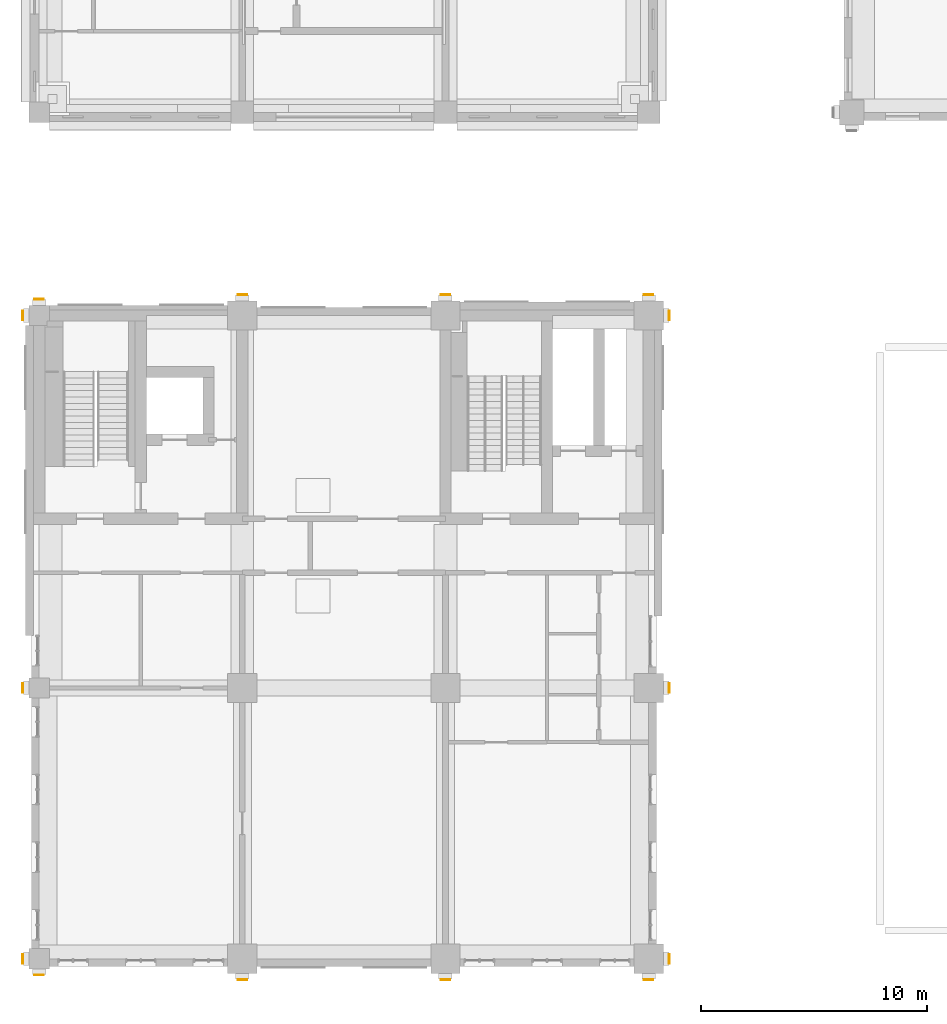
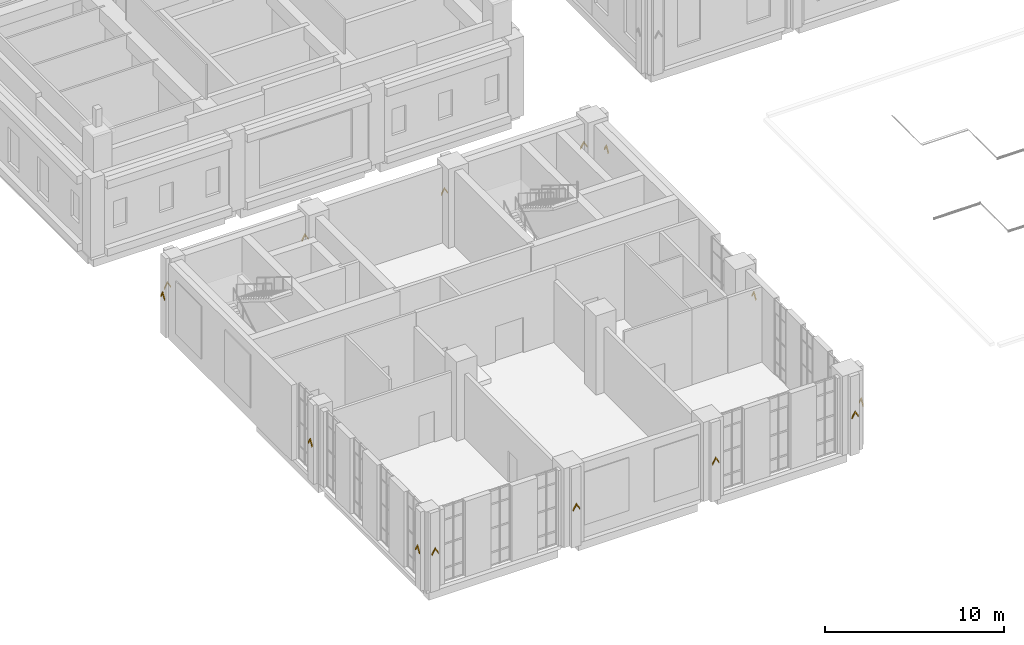
# One storey, part 36 of 37: 14 coverings.
"""IFC4 building model written with IfcOpenShell, lengths in metres."""

from ifc_helpers import new_model, si_unit, direction, frame, origin, place, context, subcontext, project, spatial, polyline, outline, extrude, material, layer, layer_set, type_object, element, save


model = new_model("IFC4")

# Units and contexts
model_context = context("Model", 3, precision=1e-05, world=origin(), true_north=direction((0.0, 1.0)))
body_context = subcontext(model_context, "Body", "Model", "MODEL_VIEW")
ifc_project = project(units=[si_unit("LENGTHUNIT", "METRE"), si_unit("AREAUNIT", "SQUARE_METRE"), si_unit("VOLUMEUNIT", "CUBIC_METRE"), si_unit("PLANEANGLEUNIT", "RADIAN"), si_unit("MASSUNIT", "GRAM", prefix="KILO")], contexts=[model_context])

# Site, building, storey
site_placement = place(None, origin())
site = spatial("IfcSite", under=ifc_project, at=site_placement, CompositionType="ELEMENT")
building_placement = place(site_placement, origin())
building = spatial("IfcBuilding", under=site, at=building_placement, Name="Aurelan Courthouse", CompositionType="ELEMENT")
storey_placement = place(building_placement, frame((0.0, 0.0, 17.39990234375)))
storey = spatial("IfcBuildingStorey", under=building, at=storey_placement, Name="L03", CompositionType="ELEMENT", Elevation=17.39990234375)

# Coverings
ifc_material = material(Name="Bronze sheet cladding")
ifc_layer = layer(ifc_material, 0.0400390625)
ifc_layer_set = layer_set([ifc_layer], Name="Bronze sheet cladding")
covering_type = type_object("IfcCoveringType", Name="Courts' Floors chevron relief 420 x 470", PredefinedType="CLADDING", material=ifc_layer_set)
for number, where, z_axis, x_axis, name in (
    (1, (0.0, -0.699951171875, -17.39990234375), (0.0, -1.0, 0.0), (1.0, 0.0, 0.0), "Chevron relief CH-V5-015"),
    (2, (9.0, -0.89990234375, -17.39990234375), (0.0, -1.0, 0.0), (1.0, 0.0, 0.0), "Chevron relief CH-V5-016"),
    (3, (18.0, -0.89990234375, -17.39990234375), (0.0, -1.0, 0.0), (1.0, 0.0, 0.0), "Chevron relief CH-V5-017"),
    (4, (27.0, -0.89990234375, -17.39990234375), (0.0, -1.0, 0.0), (1.0, 0.0, 0.0), "Chevron relief CH-V5-018"),
    (5, (0.0, 29.199951171875, -17.39990234375), (0.0, 1.0, 0.0), (-1.0, 0.0, 0.0), "Chevron relief CH-V5-019"),
    (6, (9.0, 29.39990234375, -17.39990234375), (0.0, 1.0, 0.0), (-1.0, 0.0, 0.0), "Chevron relief CH-V5-020"),
    (7, (18.0, 29.39990234375, -17.39990234375), (0.0, 1.0, 0.0), (-1.0, 0.0, 0.0), "Chevron relief CH-V5-021"),
    (8, (27.0, 29.39990234375, -17.39990234375), (0.0, 1.0, 0.0), (-1.0, 0.0, 0.0), "Chevron relief CH-V5-022"),
    (9, (27.89990234375, 0.0, -17.39990234375), (1.0, 0.0, 0.0), (0.0, 1.0, 0.0), "Chevron relief CH-V5-023"),
    (10, (27.89990234375, 12.0, -17.39990234375), (1.0, 0.0, 0.0), (0.0, 1.0, 0.0), "Chevron relief CH-V5-024"),
    (11, (27.89990234375, 28.5, -17.39990234375), (1.0, 0.0, 0.0), (0.0, 1.0, 0.0), "Chevron relief CH-V5-025"),
    (12, (-0.699951171875, 0.0, -17.39990234375), (-1.0, 0.0, 0.0), (0.0, -1.0, 0.0), "Chevron relief CH-V5-026"),
    (13, (-0.699951171875, 12.0, -17.39990234375), (-1.0, 0.0, 0.0), (0.0, -1.0, 0.0), "Chevron relief CH-V5-027"),
    (14, (-0.699951171875, 28.5, -17.39990234375), (-1.0, 0.0, 0.0), (0.0, -1.0, 0.0), "Chevron relief CH-V5-028"),
):
    element("IfcCovering", number, at=place(storey_placement, frame(where, z_axis=z_axis, x_axis=x_axis)), inside=storey, type_object=covering_type, Name=name, PredefinedType="CLADDING", context=body_context, shape_type="SweptSolid", body=[
        extrude(outline(polyline([(-0.2099609375, 19.925048828125), (0.0, 20.27490234375), (0.2099609375, 19.925048828125), (0.2099609375, 20.044921875), (0.0, 20.39501953125), (-0.2099609375, 20.044921875), (-0.2099609375, 19.925048828125)])), origin(), (0.0, 0.0, 1.0), 0.0400390625),
    ])

save(model, "model.ifc")
